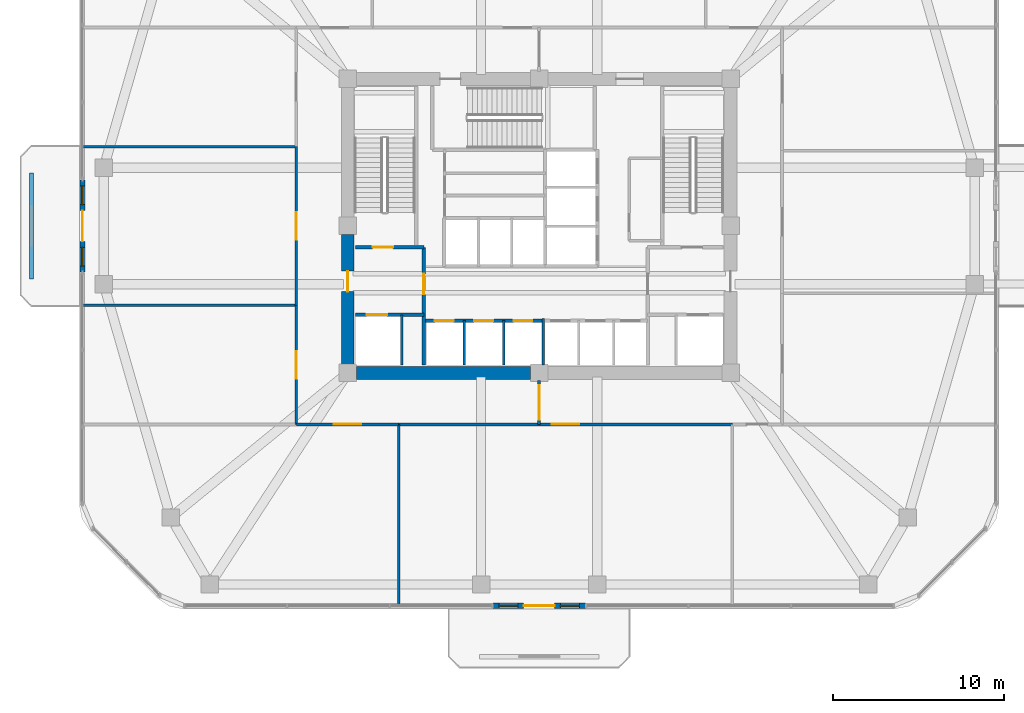
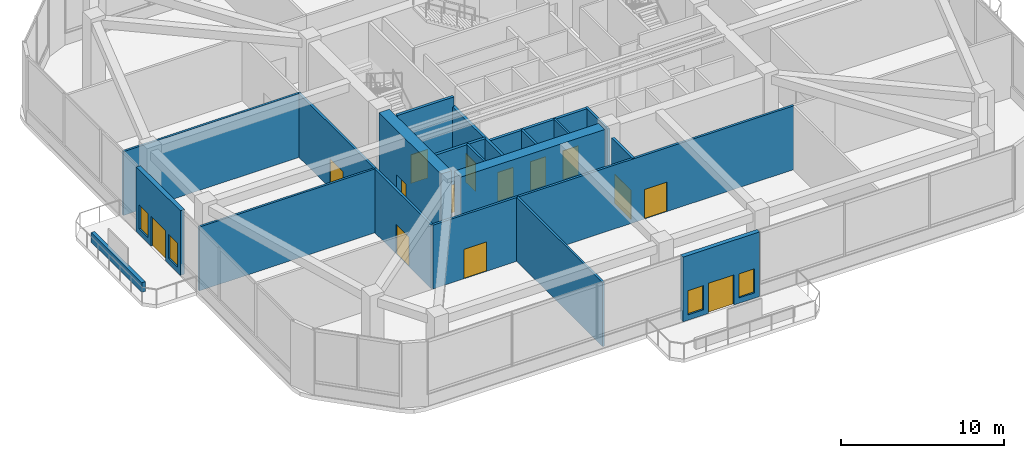
# One storey, part 7 of 13: 21 walls, 14 doors, 4 windows, 18 openings.
"""IFC4 building model written with IfcOpenShell, lengths in metres."""

from ifc_helpers import new_model, si_unit, derived_unit, direction, frame, frame_2d, origin, place, context, subcontext, project, spatial, rectangle, extrude, material, layer, layer_set, type_object, element, fill, save


model = new_model("IFC4")

# Units and contexts
model_context = context("Model", 3, precision=1e-05, world=origin(), true_north=direction((0.0, 1.0)))
body_context = subcontext(model_context, "Body", "Model", "MODEL_VIEW")
ifc_project = project(units=[si_unit("LENGTHUNIT", "METRE"), si_unit("AREAUNIT", "SQUARE_METRE"), si_unit("VOLUMEUNIT", "CUBIC_METRE"), si_unit("PLANEANGLEUNIT", "RADIAN"), si_unit("MASSUNIT", "GRAM", prefix="KILO"), derived_unit("THERMALTRANSMITTANCEUNIT", [(si_unit("POWERUNIT", "WATT"), 1), (si_unit("LENGTHUNIT", "METRE"), -2), (si_unit("THERMODYNAMICTEMPERATUREUNIT", "KELVIN"), -1)])], contexts=[model_context])

# Site, building, storey
site_placement = place(None, origin())
site = spatial("IfcSite", under=ifc_project, at=site_placement, CompositionType="ELEMENT")
building_placement = place(site_placement, origin())
building = spatial("IfcBuilding", under=site, at=building_placement, Name="Koralith Skygarden Medical Center", CompositionType="ELEMENT")
storey_placement = place(building_placement, frame((0.0, 0.0, 75.419921875)))
storey = spatial("IfcBuildingStorey", under=building, at=storey_placement, Name="L19", CompositionType="ELEMENT", Elevation=75.419921875)

# Walls
ifc_material_1 = material(Name="Gypsum Board Partition")
ifc_layer_1 = layer(ifc_material_1, 0.14990234375)
ifc_layer_set_1 = layer_set([ifc_layer_1], Name="Gypsum Board Partition")
wall_type_1 = type_object("IfcWallType", Name="Clinical Acoustic Partition 150", PredefinedType="PARTITIONING", material=ifc_layer_set_1)
wall_1_placement = place(storey_placement, frame((28.781982421875, 14.2900390625, 0.0), z_axis=(0.0, 0.0, 1.0), x_axis=(0.0, -1.0, 0.0)))
element("IfcWall", 1, at=wall_1_placement, inside=storey, type_object=wall_type_1, Name="L19 Clinical Acoustic Partition 150 W-AMPART-L19-S-1", PredefinedType="PARTITIONING", context=body_context, shape_type="SweptSolid", body=[
    extrude(rectangle(XDim=10.590087890625, YDim=0.14990234375, at=frame_2d((5.294921875, 0.0))), origin(), (0.0, 0.0, 1.0), 4.77001953125),
])
for number, where, z_axis, x_axis, name in (
    (2, (22.7900390625, 21.256103515625, 0.0), (0.0, 0.0, 1.0), (-1.0, 0.0, 0.0), "L19 Clinical Acoustic Partition 150 W-AMPART-L19-W-1"),
    (3, (22.7900390625, 30.5439453125, 0.0), (0.0, 0.0, 1.0), (-1.0, 0.0, 0.0), "L19 Clinical Acoustic Partition 150 W-AMPART-L19-W-2"),
):
    element("IfcWall", number, at=place(storey_placement, frame(where, z_axis=z_axis, x_axis=x_axis)), inside=storey, type_object=wall_type_1, Name=name, PredefinedType="PARTITIONING", context=body_context, shape_type="SweptSolid", body=[
        extrude(rectangle(XDim=12.489990234375, YDim=0.14990234375, at=frame_2d((6.2451171875, 0.0))), origin(), (0.0, 0.0, 1.0), 4.77001953125),
    ])

# Wall, opening, door
ifc_layer_2 = layer(ifc_material_1, 0.1650390625)
ifc_layer_set_2 = layer_set([ifc_layer_2], Name="Gypsum Board Partition")
wall_type_2 = type_object("IfcWallType", Name="Clinical Corridor Partition 165", PredefinedType="PARTITIONING", material=ifc_layer_set_2)
wall_2_placement = place(storey_placement, frame((22.7900390625, 14.2900390625, 0.0), z_axis=(0.0, 0.0, 1.0), x_axis=(1.0, 0.0, 0.0)))
wall_2 = element("IfcWall", 4, at=wall_2_placement, inside=storey, type_object=wall_type_2, Name="L19 Clinical Corridor Partition 165 W-AMCOR-L19-S-1", PredefinedType="PARTITIONING", context=body_context, shape_type="SweptSolid", body=[
    extrude(rectangle(XDim=5.991943359375, YDim=0.1650390625, at=frame_2d((2.99609375, 0.0))), origin(), (0.0, 0.0, 1.0), 4.77001953125),
])
opening_1_placement = place(wall_2_placement, frame((2.196044921875, 0.0, 0.0)))
opening_1 = element("IfcOpeningElement", 5, at=opening_1_placement, cuts=wall_2, Name="Opening D-DBL", PredefinedType="OPENING", context=body_context, shape_type="SweptSolid", body=[
    extrude(rectangle(XDim=1.60009765625, YDim=2.199951171875, at=frame_2d((0.800048828125, 1.10009765625))), frame((0.0, 0.092529296875, 0.0), z_axis=(0.0, -1.0, 0.0), x_axis=(1.0, 0.0, 0.0)), (0.0, 0.0, 1.0), 0.18505859375),
])
ifc_material_2 = material(Name="Aluminium 6063-T6", Category="aluminium")
door_type_1 = type_object("IfcDoorType", Name="Double Clinical Suite Door D-DBL 1600", OperationType="NOTDEFINED", PredefinedType="DOOR", material=ifc_material_2)
door_1_placement = place(opening_1_placement, frame((1.60009765625, 0.0, 0.0), z_axis=(0.0, 0.0, 1.0), x_axis=(-1.0, 0.0, 0.0)))
door_1 = element("IfcDoor", 6, at=door_1_placement, inside=storey, type_object=door_type_1, Name="L19 Outpatient Telemedicine Consultation Office Door", OperationType="DOUBLE_DOOR_SINGLE_SWING", OverallHeight=2.199951171875, OverallWidth=1.60009765625, PredefinedType="DOOR", context=body_context, shape_type="SweptSolid", body=[
    extrude(rectangle(XDim=1.60009765625, YDim=2.199951171875, at=frame_2d((0.800048828125, 1.10009765625))), frame((0.0, 0.02490234375, 0.0), z_axis=(0.0, -1.0, 0.0), x_axis=(1.0, 0.0, 0.0)), (0.0, 0.0, 1.0), 0.050048828125),
])
fill(opening_1, door_1)

wall_3_placement = place(storey_placement, frame((28.781982421875, 14.2900390625, 0.0), z_axis=(0.0, 0.0, 1.0), x_axis=(1.0, 0.0, 0.0)))
wall_3 = element("IfcWall", 7, at=wall_3_placement, inside=storey, type_object=wall_type_2, Name="L19 Clinical Corridor Partition 165 W-AMCOR-L19-S-2", PredefinedType="PARTITIONING", context=body_context, shape_type="SweptSolid", body=[
    extrude(rectangle(XDim=19.51708984375, YDim=0.1650390625, at=frame_2d((9.758544921875, 0.0))), origin(), (0.0, 0.0, 1.0), 4.77001953125),
])
opening_2_placement = place(wall_3_placement, frame((8.9580078125, 0.0, 0.0)))
opening_2 = element("IfcOpeningElement", 8, at=opening_2_placement, cuts=wall_3, Name="Opening D-DBL", PredefinedType="OPENING", context=body_context, shape_type="SweptSolid", body=[
    extrude(rectangle(XDim=1.60009765625, YDim=2.199951171875, at=frame_2d((0.800048828125, 1.10009765625))), frame((0.0, 0.092529296875, 0.0), z_axis=(0.0, -1.0, 0.0), x_axis=(1.0, 0.0, 0.0)), (0.0, 0.0, 1.0), 0.18505859375),
])
door_2_placement = place(opening_2_placement, frame((1.60009765625, 0.0, 0.0), z_axis=(0.0, 0.0, 1.0), x_axis=(-1.0, 0.0, 0.0)))
door_2 = element("IfcDoor", 9, at=door_2_placement, inside=storey, type_object=door_type_1, Name="L19 Family Resource Sky-Garden Lounge Door", OperationType="DOUBLE_DOOR_SINGLE_SWING", OverallHeight=2.199951171875, OverallWidth=1.60009765625, PredefinedType="DOOR", context=body_context, shape_type="SweptSolid", body=[
    extrude(rectangle(XDim=1.60009765625, YDim=2.199951171875, at=frame_2d((0.800048828125, 1.10009765625))), frame((0.0, 0.02490234375, 0.0), z_axis=(0.0, -1.0, 0.0), x_axis=(1.0, 0.0, 0.0)), (0.0, 0.0, 1.0), 0.050048828125),
])
fill(opening_2, door_2)

wall_4_placement = place(storey_placement, frame((22.7900390625, 14.2900390625, 0.0), z_axis=(0.0, 0.0, 1.0), x_axis=(0.0, 1.0, 0.0)))
wall_4 = element("IfcWall", 10, at=wall_4_placement, inside=storey, type_object=wall_type_2, Name="L19 Clinical Corridor Partition 165 W-AMCOR-L19-W-1", PredefinedType="PARTITIONING", context=body_context, shape_type="SweptSolid", body=[
    extrude(rectangle(XDim=6.966064453125, YDim=0.1650390625, at=frame_2d((3.48291015625, 0.0))), origin(), (0.0, 0.0, 1.0), 4.77001953125),
])
opening_3_placement = place(wall_4_placement, frame((2.68310546875, 0.0, 0.0)))
opening_3 = element("IfcOpeningElement", 11, at=opening_3_placement, cuts=wall_4, Name="Opening D-DBL", PredefinedType="OPENING", context=body_context, shape_type="SweptSolid", body=[
    extrude(rectangle(XDim=1.60009765625, YDim=2.199951171875, at=frame_2d((0.800048828125, 1.10009765625))), frame((0.0, 0.092529296875, 0.0), z_axis=(0.0, -1.0, 0.0), x_axis=(1.0, 0.0, 0.0)), (0.0, 0.0, 1.0), 0.18505859375),
])
door_3_placement = place(opening_3_placement, frame((1.60009765625, 0.0, 0.0), z_axis=(0.0, 0.0, 1.0), x_axis=(-1.0, 0.0, 0.0)))
door_3 = element("IfcDoor", 12, at=door_3_placement, inside=storey, type_object=door_type_1, Name="L19 Clinical Staff Seminar Room Door", OperationType="DOUBLE_DOOR_SINGLE_SWING", OverallHeight=2.199951171875, OverallWidth=1.60009765625, PredefinedType="DOOR", context=body_context, shape_type="SweptSolid", body=[
    extrude(rectangle(XDim=1.60009765625, YDim=2.199951171875, at=frame_2d((0.800048828125, 1.10009765625))), frame((0.0, 0.02490234375, 0.0), z_axis=(0.0, -1.0, 0.0), x_axis=(1.0, 0.0, 0.0)), (0.0, 0.0, 1.0), 0.050048828125),
])
fill(opening_3, door_3)

wall_5_placement = place(storey_placement, frame((22.7900390625, 21.256103515625, 0.0), z_axis=(0.0, 0.0, 1.0), x_axis=(0.0, 1.0, 0.0)))
wall_5 = element("IfcWall", 13, at=wall_5_placement, inside=storey, type_object=wall_type_2, Name="L19 Clinical Corridor Partition 165 W-AMCOR-L19-W-2", PredefinedType="PARTITIONING", context=body_context, shape_type="SweptSolid", body=[
    extrude(rectangle(XDim=9.287841796875, YDim=0.1650390625, at=frame_2d((4.64404296875, 0.0))), origin(), (0.0, 0.0, 1.0), 4.77001953125),
])
opening_4_placement = place(wall_5_placement, frame((3.843994140625, 0.0, 0.0)))
opening_4 = element("IfcOpeningElement", 14, at=opening_4_placement, cuts=wall_5, Name="Opening D-DBL", PredefinedType="OPENING", context=body_context, shape_type="SweptSolid", body=[
    extrude(rectangle(XDim=1.60009765625, YDim=2.199951171875, at=frame_2d((0.800048828125, 1.10009765625))), frame((0.0, 0.092529296875, 0.0), z_axis=(0.0, -1.0, 0.0), x_axis=(1.0, 0.0, 0.0)), (0.0, 0.0, 1.0), 0.18505859375),
])
door_4_placement = place(opening_4_placement, frame((1.60009765625, 0.0, 0.0), z_axis=(0.0, 0.0, 1.0), x_axis=(-1.0, 0.0, 0.0)))
door_4 = element("IfcDoor", 15, at=door_4_placement, inside=storey, type_object=door_type_1, Name="L19 West Sky-Garden Verandah Lounge Door", OperationType="DOUBLE_DOOR_SINGLE_SWING", OverallHeight=2.199951171875, OverallWidth=1.60009765625, PredefinedType="DOOR", context=body_context, shape_type="SweptSolid", body=[
    extrude(rectangle(XDim=1.60009765625, YDim=2.199951171875, at=frame_2d((0.800048828125, 1.10009765625))), frame((0.0, 0.02490234375, 0.0), z_axis=(0.0, -1.0, 0.0), x_axis=(1.0, 0.0, 0.0)), (0.0, 0.0, 1.0), 0.050048828125),
])
fill(opening_4, door_4)

ifc_layer_3 = layer(ifc_material_1, 0.199951171875)
ifc_layer_set_3 = layer_set([ifc_layer_3], Name="Gypsum Board Partition")
wall_type_3 = type_object("IfcWallType", Name="Fire Shaft Wall 200", PredefinedType="SOLIDWALL", material=ifc_layer_set_3)
wall_6_placement = place(storey_placement, frame((26.25, 20.699951171875, 0.0), z_axis=(0.0, 0.0, 1.0), x_axis=(1.0, 0.0, 0.0)))
wall_6 = element("IfcWall", 16, at=wall_6_placement, inside=storey, type_object=wall_type_3, Name="L19 Fire Shaft Wall 200 W-CORE-L19-FF1-N", PredefinedType="SOLIDWALL", context=body_context, shape_type="SweptSolid", body=[
    extrude(rectangle(XDim=4.0, YDim=0.199951171875, at=frame_2d((2.0, 0.0))), origin(), (0.0, 0.0, 1.0), 4.77001953125),
])
opening_5_placement = place(wall_6_placement, frame((0.64990234375, 0.0, 0.0)))
opening_5 = element("IfcOpeningElement", 17, at=opening_5_placement, cuts=wall_6, Name="Opening LD-FF", PredefinedType="OPENING", context=body_context, shape_type="SweptSolid", body=[
    extrude(rectangle(XDim=1.199951171875, YDim=2.14990234375, at=frame_2d((0.60009765625, 1.074951171875))), frame((0.0, 0.10986328125, 0.0), z_axis=(0.0, -1.0, 0.0), x_axis=(1.0, 0.0, 0.0)), (0.0, 0.0, 1.0), 0.219970703125),
])
ifc_material_3 = material(Name="Steel ASTM A500 Grade C", Category="steel")
door_type_2 = type_object("IfcDoorType", Name="Fire Lift Sliding Landing Door LD-FF 1200", OperationType="NOTDEFINED", PredefinedType="DOOR", material=ifc_material_3)
door_5_placement = place(opening_5_placement, origin())
door_5 = element("IfcDoor", 18, at=door_5_placement, inside=storey, type_object=door_type_2, Name="L19 Fire Service Elevator FF1 Landing Door", OperationType="SLIDING_TO_LEFT", OverallHeight=2.14990234375, OverallWidth=1.199951171875, PredefinedType="DOOR", context=body_context, shape_type="SweptSolid", body=[
    extrude(rectangle(XDim=1.199951171875, YDim=2.14990234375, at=frame_2d((0.60009765625, 1.074951171875))), frame((0.0, 0.02490234375, 0.0), z_axis=(0.0, -1.0, 0.0), x_axis=(1.0, 0.0, 0.0)), (0.0, 0.0, 1.0), 0.050048828125),
])
fill(opening_5, door_5)

wall_7_placement = place(storey_placement, frame((30.25, 17.75, 0.0), z_axis=(0.0, 0.0, 1.0), x_axis=(0.0, 1.0, 0.0)))
wall_7 = element("IfcWall", 19, at=wall_7_placement, inside=storey, type_object=wall_type_3, Name="L19 Fire Shaft Wall 200 W-CORE-L19-FSAEW-E", PredefinedType="SOLIDWALL", context=body_context, shape_type="SweptSolid", body=[
    extrude(rectangle(XDim=6.89990234375, YDim=0.199951171875, at=frame_2d((3.449951171875, 0.0))), origin(), (0.0, 0.0, 1.0), 4.77001953125),
])
opening_6_placement = place(wall_7_placement, frame((4.14990234375, 0.0, 0.0)))
opening_6 = element("IfcOpeningElement", 20, at=opening_6_placement, cuts=wall_7, Name="Opening D-ST60", PredefinedType="OPENING", context=body_context, shape_type="SweptSolid", body=[
    extrude(rectangle(XDim=1.199951171875, YDim=2.14990234375, at=frame_2d((0.60009765625, 1.074951171875))), frame((0.0, 0.10986328125, 0.0), z_axis=(0.0, -1.0, 0.0), x_axis=(1.0, 0.0, 0.0)), (0.0, 0.0, 1.0), 0.219970703125),
])
door_type_3 = type_object("IfcDoorType", Name="Smokeproof Stair Fire Door FD60S 1200", OperationType="NOTDEFINED", PredefinedType="DOOR", material=ifc_material_3)
door_6_placement = place(opening_6_placement, origin())
door_6 = element("IfcDoor", 21, at=door_6_placement, inside=storey, type_object=door_type_3, Name="L19 West Firefighting Lobby Inner Fire Door", OperationType="SINGLE_SWING_LEFT", OverallHeight=2.14990234375, OverallWidth=1.199951171875, PredefinedType="DOOR", context=body_context, shape_type="SweptSolid", body=[
    extrude(rectangle(XDim=1.199951171875, YDim=2.14990234375, at=frame_2d((0.60009765625, 1.074951171875))), frame((0.0, 0.02490234375, 0.0), z_axis=(0.0, -1.0, 0.0), x_axis=(1.0, 0.0, 0.0)), (0.0, 0.0, 1.0), 0.050048828125),
])
fill(opening_6, door_6)

# Wall, openings, doors
wall_8_placement = place(storey_placement, frame((30.25, 20.360107421875, 0.0), z_axis=(0.0, 0.0, 1.0), x_axis=(1.0, 0.0, 0.0)))
wall_8 = element("IfcWall", 22, at=wall_8_placement, inside=storey, type_object=wall_type_3, Name="L19 Fire Shaft Wall 200 W-CORE-L19-PL-N", PredefinedType="SOLIDWALL", context=body_context, shape_type="SweptSolid", body=[
    extrude(rectangle(XDim=7.0, YDim=0.199951171875, at=frame_2d((3.5, 0.0))), origin(), (0.0, 0.0, 1.0), 4.77001953125),
])
opening_7_placement = place(wall_8_placement, frame((0.64990234375, 0.0, 0.0)))
opening_7 = element("IfcOpeningElement", 23, at=opening_7_placement, cuts=wall_8, Name="Opening LD-P", PredefinedType="OPENING", context=body_context, shape_type="SweptSolid", body=[
    extrude(rectangle(XDim=1.10009765625, YDim=2.14990234375, at=frame_2d((0.550048828125, 1.074951171875))), frame((0.0, 0.10986328125, 0.0), z_axis=(0.0, -1.0, 0.0), x_axis=(1.0, 0.0, 0.0)), (0.0, 0.0, 1.0), 0.219970703125),
])
opening_8_placement = place(wall_8_placement, frame((2.949951171875, 0.0, 0.0)))
opening_8 = element("IfcOpeningElement", 24, at=opening_8_placement, cuts=wall_8, Name="Opening LD-P", PredefinedType="OPENING", context=body_context, shape_type="SweptSolid", body=[
    extrude(rectangle(XDim=1.10009765625, YDim=2.14990234375, at=frame_2d((0.550048828125, 1.074951171875))), frame((0.0, 0.10986328125, 0.0), z_axis=(0.0, -1.0, 0.0), x_axis=(1.0, 0.0, 0.0)), (0.0, 0.0, 1.0), 0.219970703125),
])
opening_9_placement = place(wall_8_placement, frame((5.25, 0.0, 0.0)))
opening_9 = element("IfcOpeningElement", 25, at=opening_9_placement, cuts=wall_8, Name="Opening LD-P", PredefinedType="OPENING", context=body_context, shape_type="SweptSolid", body=[
    extrude(rectangle(XDim=1.10009765625, YDim=2.14990234375, at=frame_2d((0.550048828125, 1.074951171875))), frame((0.0, 0.10986328125, 0.0), z_axis=(0.0, -1.0, 0.0), x_axis=(1.0, 0.0, 0.0)), (0.0, 0.0, 1.0), 0.219970703125),
])
door_type_4 = type_object("IfcDoorType", Name="Passenger Lift Sliding Landing Door LD-P 1100", OperationType="NOTDEFINED", PredefinedType="DOOR", material=ifc_material_3)
door_7_placement = place(opening_7_placement, origin())
door_7 = element("IfcDoor", 26, at=door_7_placement, inside=storey, type_object=door_type_4, Name="L19 Passenger Elevator PL1 Landing Door", OperationType="SLIDING_TO_LEFT", OverallHeight=2.14990234375, OverallWidth=1.10009765625, PredefinedType="DOOR", context=body_context, shape_type="SweptSolid", body=[
    extrude(rectangle(XDim=1.10009765625, YDim=2.14990234375, at=frame_2d((0.550048828125, 1.074951171875))), frame((0.0, 0.02490234375, 0.0), z_axis=(0.0, -1.0, 0.0), x_axis=(1.0, 0.0, 0.0)), (0.0, 0.0, 1.0), 0.050048828125),
])
fill(opening_7, door_7)
door_8_placement = place(opening_8_placement, origin())
door_8 = element("IfcDoor", 27, at=door_8_placement, inside=storey, type_object=door_type_4, Name="L19 Passenger Elevator PL2 Landing Door", OperationType="SLIDING_TO_LEFT", OverallHeight=2.14990234375, OverallWidth=1.10009765625, PredefinedType="DOOR", context=body_context, shape_type="SweptSolid", body=[
    extrude(rectangle(XDim=1.10009765625, YDim=2.14990234375, at=frame_2d((0.550048828125, 1.074951171875))), frame((0.0, 0.02490234375, 0.0), z_axis=(0.0, -1.0, 0.0), x_axis=(1.0, 0.0, 0.0)), (0.0, 0.0, 1.0), 0.050048828125),
])
fill(opening_8, door_8)
door_9_placement = place(opening_9_placement, origin())
door_9 = element("IfcDoor", 28, at=door_9_placement, inside=storey, type_object=door_type_4, Name="L19 Passenger Elevator PL3 Landing Door", OperationType="SLIDING_TO_LEFT", OverallHeight=2.14990234375, OverallWidth=1.10009765625, PredefinedType="DOOR", context=body_context, shape_type="SweptSolid", body=[
    extrude(rectangle(XDim=1.10009765625, YDim=2.14990234375, at=frame_2d((0.550048828125, 1.074951171875))), frame((0.0, 0.02490234375, 0.0), z_axis=(0.0, -1.0, 0.0), x_axis=(1.0, 0.0, 0.0)), (0.0, 0.0, 1.0), 0.050048828125),
])
fill(opening_9, door_9)

# Wall, opening, door
ifc_layer_4 = layer(ifc_material_1, 0.179931640625)
ifc_layer_set_4 = layer_set([ifc_layer_4], Name="Gypsum Board Partition")
wall_type_4 = type_object("IfcWallType", Name="Group I-2 Smoke Barrier Wall 180", PredefinedType="PARTITIONING", material=ifc_layer_set_4)
wall_9_placement = place(storey_placement, frame((37.0, 14.2900390625, 0.0), z_axis=(0.0, 0.0, 1.0), x_axis=(0.0, 1.0, 0.0)))
wall_9 = element("IfcWall", 29, at=wall_9_placement, inside=storey, type_object=wall_type_4, Name="L19 Group I-2 Smoke Barrier Wall 180 W-SMK-L19-S", PredefinedType="PARTITIONING", context=body_context, shape_type="SweptSolid", body=[
    extrude(rectangle(XDim=2.56005859375, YDim=0.179931640625, at=frame_2d((1.280029296875, 0.0))), origin(), (0.0, 0.0, 1.0), 4.77001953125),
])
opening_10_placement = place(wall_9_placement, frame((0.280029296875, 0.0, 0.0)))
opening_10 = element("IfcOpeningElement", 30, at=opening_10_placement, cuts=wall_9, Name="Opening D-SMK", PredefinedType="OPENING", context=body_context, shape_type="SweptSolid", body=[
    extrude(rectangle(XDim=2.0, YDim=2.199951171875, at=frame_2d((1.0, 1.10009765625))), frame((0.0, 0.099853515625, 0.0), z_axis=(0.0, -1.0, 0.0), x_axis=(1.0, 0.0, 0.0)), (0.0, 0.0, 1.0), 0.199951171875),
])
door_type_5 = type_object("IfcDoorType", Name="Cross-Corridor Double Smoke Door FD60S 2000", OperationType="NOTDEFINED", PredefinedType="DOOR", material=ifc_material_3)
door_10_placement = place(opening_10_placement, frame((2.0, 0.0, 0.0), z_axis=(0.0, 0.0, 1.0), x_axis=(-1.0, 0.0, 0.0)))
door_10 = element("IfcDoor", 31, at=door_10_placement, inside=storey, type_object=door_type_5, Name="L19 S Smoke Compartment Cross-Corridor Door", OperationType="DOUBLE_DOOR_SINGLE_SWING", OverallHeight=2.199951171875, OverallWidth=2.0, PredefinedType="DOOR", context=body_context, shape_type="SweptSolid", body=[
    extrude(rectangle(XDim=2.0, YDim=2.199951171875, at=frame_2d((1.0, 1.10009765625))), frame((0.0, 0.02490234375, 0.0), z_axis=(0.0, -1.0, 0.0), x_axis=(1.0, 0.0, 0.0)), (0.0, 0.0, 1.0), 0.050048828125),
])
fill(opening_10, door_10)

# Wall
ifc_material_4 = material(Name="Concrete C70/85", Category="concrete")
ifc_layer_5 = layer(ifc_material_4, 0.75)
ifc_layer_set_5 = layer_set([ifc_layer_5], Name="Concrete C70/85")
wall_type_5 = type_object("IfcWallType", Name="Mid Core Shear Wall 750", PredefinedType="SHEAR", material=ifc_layer_set_5)
wall_10_placement = place(storey_placement, frame((26.304931640625, 17.300048828125, 0.0), z_axis=(0.0, 0.0, 1.0), x_axis=(1.0, 0.0, 0.0)))
element("IfcWall", 32, at=wall_10_placement, inside=storey, type_object=wall_type_5, Name="L19 Core Shear Wall Segment 1", PredefinedType="SHEAR", context=body_context, shape_type="SweptSolid", body=[
    extrude(rectangle(XDim=10.190185546875, YDim=0.75, at=frame_2d((5.09521484375, 0.0))), origin(), (0.0, 0.0, 1.0), 5.47998046875),
])

# Wall, opening, door
wall_11_placement = place(storey_placement, frame((25.800048828125, 25.39501953125, 0.0), z_axis=(0.0, 0.0, 1.0), x_axis=(0.0, -1.0, 0.0)))
wall_11 = element("IfcWall", 33, at=wall_11_placement, inside=storey, type_object=wall_type_5, Name="L19 Core Shear Wall Segment 8", PredefinedType="SHEAR", context=body_context, shape_type="SweptSolid", body=[
    extrude(rectangle(XDim=7.590087890625, YDim=0.75, at=frame_2d((3.794921875, 0.0))), origin(), (0.0, 0.0, 1.0), 5.47998046875),
])
opening_11_placement = place(wall_11_placement, frame((2.14501953125, 0.0, 0.0)))
opening_11 = element("IfcOpeningElement", 34, at=opening_11_placement, cuts=wall_11, Name="Opening D-ST60", PredefinedType="OPENING", context=body_context, shape_type="SweptSolid", body=[
    extrude(rectangle(XDim=1.199951171875, YDim=2.14990234375, at=frame_2d((0.60009765625, 1.074951171875))), frame((0.0, 0.385009765625, 0.0), z_axis=(0.0, -1.0, 0.0), x_axis=(1.0, 0.0, 0.0)), (0.0, 0.0, 1.0), 0.77001953125),
])
door_11_placement = place(opening_11_placement, frame((1.199951171875, 0.0, 0.0), z_axis=(0.0, 0.0, 1.0), x_axis=(-1.0, 0.0, 0.0)))
door_11 = element("IfcDoor", 35, at=door_11_placement, inside=storey, type_object=door_type_3, Name="L19 West Corridor to Firefighting Lobby Door", OperationType="SINGLE_SWING_LEFT", OverallHeight=2.14990234375, OverallWidth=1.199951171875, PredefinedType="DOOR", context=body_context, shape_type="SweptSolid", body=[
    extrude(rectangle(XDim=1.199951171875, YDim=2.14990234375, at=frame_2d((0.60009765625, 1.074951171875))), frame((0.0, 0.02490234375, 0.0), z_axis=(0.0, -1.0, 0.0), x_axis=(1.0, 0.0, 0.0)), (0.0, 0.0, 1.0), 0.050048828125),
])
fill(opening_11, door_11)

# Wall, openings, door, windows
ifc_material_5 = material(Name="Warm Oolitic Limestone Cladding", Category="masonry")
ifc_layer_6 = layer(ifc_material_5, 0.300048828125)
ifc_layer_set_6 = layer_set([ifc_layer_6], Name="Warm Oolitic Limestone Cladding")
wall_type_6 = type_object("IfcWallType", Name="Oolitic Limestone Insulated Facade Wall 300", PredefinedType="SOLIDWALL", material=ifc_layer_set_6)
wall_12_placement = place(storey_placement, frame((34.299072265625, 3.679931640625, 0.0), z_axis=(0.0, 0.0, 1.0), x_axis=(1.0, 0.0, 0.0)))
wall_12 = element("IfcWall", 36, at=wall_12_placement, inside=storey, type_object=wall_type_6, Name="L19 Terrace Portal Wall S", PredefinedType="SOLIDWALL", context=body_context, shape_type="SweptSolid", body=[
    extrude(rectangle(XDim=5.39990234375, YDim=0.300048828125, at=frame_2d((2.699951171875, 0.0))), origin(), (0.0, 0.0, 1.0), 4.830078125),
])
opening_12_placement = place(wall_12_placement, frame((1.800048828125, 0.0, 0.0)))
opening_12 = element("IfcOpeningElement", 37, at=opening_12_placement, cuts=wall_12, Name="Opening D-SG", PredefinedType="OPENING", context=body_context, shape_type="SweptSolid", body=[
    extrude(rectangle(XDim=1.800048828125, YDim=2.25, at=frame_2d((0.89990234375, 1.125))), frame((0.0, 0.159912109375, 0.0), z_axis=(0.0, -1.0, 0.0), x_axis=(1.0, 0.0, 0.0)), (0.0, 0.0, 1.0), 0.320068359375),
])
opening_13_placement = place(wall_12_placement, frame((0.35009765625, 0.0, 0.39990234375)))
opening_13 = element("IfcOpeningElement", 38, at=opening_13_placement, cuts=wall_12, Name="Opening W-04", PredefinedType="OPENING", context=body_context, shape_type="SweptSolid", body=[
    extrude(rectangle(XDim=1.10009765625, YDim=1.800048828125, at=frame_2d((0.550048828125, 0.89990234375))), frame((0.0, 0.159912109375, 0.0), z_axis=(0.0, -1.0, 0.0), x_axis=(1.0, 0.0, 0.0)), (0.0, 0.0, 1.0), 0.320068359375),
])
opening_14_placement = place(wall_12_placement, frame((3.949951171875, 0.0, 0.39990234375)))
opening_14 = element("IfcOpeningElement", 39, at=opening_14_placement, cuts=wall_12, Name="Opening W-04", PredefinedType="OPENING", context=body_context, shape_type="SweptSolid", body=[
    extrude(rectangle(XDim=1.10009765625, YDim=1.800048828125, at=frame_2d((0.550048828125, 0.89990234375))), frame((0.0, 0.159912109375, 0.0), z_axis=(0.0, -1.0, 0.0), x_axis=(1.0, 0.0, 0.0)), (0.0, 0.0, 1.0), 0.320068359375),
])
door_type_6 = type_object("IfcDoorType", Name="Sky-Garden Double Terrace Door D-SG 1800", OperationType="NOTDEFINED", PredefinedType="DOOR", material=ifc_material_2)
door_12_placement = place(opening_12_placement, origin())
door_12 = element("IfcDoor", 40, at=door_12_placement, inside=storey, type_object=door_type_6, Name="L19 S Outdoor Terrace Access Door", OperationType="DOUBLE_DOOR_SINGLE_SWING", OverallHeight=2.25, OverallWidth=1.800048828125, PredefinedType="DOOR", context=body_context, shape_type="SweptSolid", body=[
    extrude(rectangle(XDim=1.800048828125, YDim=2.25, at=frame_2d((0.89990234375, 1.125))), frame((0.0, 0.02490234375, 0.0), z_axis=(0.0, -1.0, 0.0), x_axis=(1.0, 0.0, 0.0)), (0.0, 0.0, 1.0), 0.050048828125),
])
fill(opening_12, door_12)
ifc_material_6 = material(Name="Clear Laminated Glass", Category="glass")
window_type = type_object("IfcWindowType", Name="Sky-Garden Portal Sidelight Window W-04 1100x1800", PartitioningType="SINGLE_PANEL", PredefinedType="WINDOW", material=ifc_material_6)
window_1_placement = place(opening_13_placement, origin())
window_1 = element("IfcWindow", 41, at=window_1_placement, inside=storey, type_object=window_type, Name="L19 S Portal Sidelight 1", OverallHeight=1.800048828125, OverallWidth=1.10009765625, PartitioningType="SINGLE_PANEL", PredefinedType="WINDOW", context=body_context, shape_type="SweptSolid", body=[
    extrude(rectangle(XDim=1.10009765625, YDim=1.800048828125, at=frame_2d((0.550048828125, 0.89990234375))), frame((0.0, 0.030029296875, 0.0), z_axis=(0.0, -1.0, 0.0), x_axis=(1.0, 0.0, 0.0)), (0.0, 0.0, 1.0), 0.06005859375),
])
fill(opening_13, window_1)
window_2_placement = place(opening_14_placement, origin())
window_2 = element("IfcWindow", 42, at=window_2_placement, inside=storey, type_object=window_type, Name="L19 S Portal Sidelight 2", OverallHeight=1.800048828125, OverallWidth=1.10009765625, PartitioningType="SINGLE_PANEL", PredefinedType="WINDOW", context=body_context, shape_type="SweptSolid", body=[
    extrude(rectangle(XDim=1.10009765625, YDim=1.800048828125, at=frame_2d((0.550048828125, 0.89990234375))), frame((0.0, 0.030029296875, 0.0), z_axis=(0.0, -1.0, 0.0), x_axis=(1.0, 0.0, 0.0)), (0.0, 0.0, 1.0), 0.06005859375),
])
fill(opening_14, window_2)

wall_13_placement = place(storey_placement, frame((10.280029296875, 28.60107421875, 0.0), z_axis=(0.0, 0.0, 1.0), x_axis=(0.0, -1.0, 0.0)))
wall_13 = element("IfcWall", 43, at=wall_13_placement, inside=storey, type_object=wall_type_6, Name="L19 Terrace Portal Wall W", PredefinedType="SOLIDWALL", context=body_context, shape_type="SweptSolid", body=[
    extrude(rectangle(XDim=5.400146484375, YDim=0.300048828125, at=frame_2d((2.7001953125, 0.0))), origin(), (0.0, 0.0, 1.0), 4.830078125),
])
opening_15_placement = place(wall_13_placement, frame((1.800048828125, 0.0, 0.0)))
opening_15 = element("IfcOpeningElement", 44, at=opening_15_placement, cuts=wall_13, Name="Opening D-SG", PredefinedType="OPENING", context=body_context, shape_type="SweptSolid", body=[
    extrude(rectangle(XDim=1.800048828125, YDim=2.25, at=frame_2d((0.89990234375, 1.125))), frame((0.0, 0.159912109375, 0.0), z_axis=(0.0, -1.0, 0.0), x_axis=(1.0, 0.0, 0.0)), (0.0, 0.0, 1.0), 0.320068359375),
])
opening_16_placement = place(wall_13_placement, frame((0.35009765625, 0.0, 0.39990234375)))
opening_16 = element("IfcOpeningElement", 45, at=opening_16_placement, cuts=wall_13, Name="Opening W-04", PredefinedType="OPENING", context=body_context, shape_type="SweptSolid", body=[
    extrude(rectangle(XDim=1.10009765625, YDim=1.800048828125, at=frame_2d((0.550048828125, 0.89990234375))), frame((0.0, 0.159912109375, 0.0), z_axis=(0.0, -1.0, 0.0), x_axis=(1.0, 0.0, 0.0)), (0.0, 0.0, 1.0), 0.320068359375),
])
opening_17_placement = place(wall_13_placement, frame((3.949951171875, 0.0, 0.39990234375)))
opening_17 = element("IfcOpeningElement", 46, at=opening_17_placement, cuts=wall_13, Name="Opening W-04", PredefinedType="OPENING", context=body_context, shape_type="SweptSolid", body=[
    extrude(rectangle(XDim=1.10009765625, YDim=1.800048828125, at=frame_2d((0.550048828125, 0.89990234375))), frame((0.0, 0.159912109375, 0.0), z_axis=(0.0, -1.0, 0.0), x_axis=(1.0, 0.0, 0.0)), (0.0, 0.0, 1.0), 0.320068359375),
])
door_13_placement = place(opening_15_placement, origin())
door_13 = element("IfcDoor", 47, at=door_13_placement, inside=storey, type_object=door_type_6, Name="L19 W Outdoor Terrace Access Door", OperationType="DOUBLE_DOOR_SINGLE_SWING", OverallHeight=2.25, OverallWidth=1.800048828125, PredefinedType="DOOR", context=body_context, shape_type="SweptSolid", body=[
    extrude(rectangle(XDim=1.800048828125, YDim=2.25, at=frame_2d((0.89990234375, 1.125))), frame((0.0, 0.02490234375, 0.0), z_axis=(0.0, -1.0, 0.0), x_axis=(1.0, 0.0, 0.0)), (0.0, 0.0, 1.0), 0.050048828125),
])
fill(opening_15, door_13)
window_3_placement = place(opening_16_placement, origin())
window_3 = element("IfcWindow", 48, at=window_3_placement, inside=storey, type_object=window_type, Name="L19 W Portal Sidelight 1", OverallHeight=1.800048828125, OverallWidth=1.10009765625, PartitioningType="SINGLE_PANEL", PredefinedType="WINDOW", context=body_context, shape_type="SweptSolid", body=[
    extrude(rectangle(XDim=1.10009765625, YDim=1.800048828125, at=frame_2d((0.550048828125, 0.89990234375))), frame((0.0, 0.030029296875, 0.0), z_axis=(0.0, -1.0, 0.0), x_axis=(1.0, 0.0, 0.0)), (0.0, 0.0, 1.0), 0.06005859375),
])
fill(opening_16, window_3)
window_4_placement = place(opening_17_placement, origin())
window_4 = element("IfcWindow", 49, at=window_4_placement, inside=storey, type_object=window_type, Name="L19 W Portal Sidelight 2", OverallHeight=1.800048828125, OverallWidth=1.10009765625, PartitioningType="SINGLE_PANEL", PredefinedType="WINDOW", context=body_context, shape_type="SweptSolid", body=[
    extrude(rectangle(XDim=1.10009765625, YDim=1.800048828125, at=frame_2d((0.550048828125, 0.89990234375))), frame((0.0, 0.030029296875, 0.0), z_axis=(0.0, -1.0, 0.0), x_axis=(1.0, 0.0, 0.0)), (0.0, 0.0, 1.0), 0.06005859375),
])
fill(opening_17, window_4)

# Walls
ifc_layer_7 = layer(ifc_material_1, 0.14990234375)
ifc_layer_set_7 = layer_set([ifc_layer_7], Name="Gypsum Board Partition")
wall_type_7 = type_object("IfcWallType", Name="Shaft Partition Wall 150", PredefinedType="PARTITIONING", material=ifc_layer_set_7)
wall_14_placement = place(storey_placement, frame((28.969970703125, 17.75, 0.0), z_axis=(0.0, 0.0, 1.0), x_axis=(0.0, 1.0, 0.0)))
element("IfcWall", 50, at=wall_14_placement, inside=storey, type_object=wall_type_7, Name="L19 Shaft Partition Wall 150 W-CORE-L19-RSRW-DIV", PredefinedType="PARTITIONING", context=body_context, shape_type="SweptSolid", body=[
    extrude(rectangle(XDim=2.949951171875, YDim=0.14990234375, at=frame_2d((1.47509765625, 0.0))), origin(), (0.0, 0.0, 1.0), 4.77001953125),
])
for number, where, z_axis, x_axis, name in (
    (51, (32.6201171875, 17.75, 0.0), (0.0, 0.0, 1.0), (0.0, 1.0, 0.0), "L19 Shaft Partition Wall 150 W-CORE-L19-PL-D1"),
    (52, (34.919921875, 17.75, 0.0), (0.0, 0.0, 1.0), (0.0, 1.0, 0.0), "L19 Shaft Partition Wall 150 W-CORE-L19-PL-D2"),
):
    element("IfcWall", number, at=place(storey_placement, frame(where, z_axis=z_axis, x_axis=x_axis)), inside=storey, type_object=wall_type_7, Name=name, PredefinedType="PARTITIONING", context=body_context, shape_type="SweptSolid", body=[
        extrude(rectangle(XDim=2.610107421875, YDim=0.14990234375, at=frame_2d((1.30517578125, 0.0))), origin(), (0.0, 0.0, 1.0), 4.77001953125),
    ])
wall_15_placement = place(storey_placement, frame((37.25, 17.75, 0.0), z_axis=(0.0, 0.0, 1.0), x_axis=(0.0, 1.0, 0.0)))
element("IfcWall", 53, at=wall_15_placement, inside=storey, type_object=wall_type_7, Name="L19 Shaft Partition Wall 150 W-CORE-L19-PL-PM-SEP", PredefinedType="PARTITIONING", context=body_context, shape_type="SweptSolid", body=[
    extrude(rectangle(XDim=2.72998046875, YDim=0.14990234375, at=frame_2d((1.364990234375, 0.0))), origin(), (0.0, 0.0, 1.0), 4.77001953125),
])
ifc_material_7 = material(Name="Precast concrete C40/50", Category="concrete")
ifc_layer_8 = layer(ifc_material_7, 0.25)
ifc_layer_set_8 = layer_set([ifc_layer_8], Name="Precast concrete C40/50")
wall_type_8 = type_object("IfcWallType", Name="Structural Concrete Balcony Planter Kerb 250", PredefinedType="PARAPET", material=ifc_layer_set_8)
wall_16_placement = place(storey_placement, frame((7.300048828125, 22.800048828125, 0.0), z_axis=(0.0, 0.0, 1.0), x_axis=(0.0, 1.0, 0.0)))
element("IfcWall", 54, at=wall_16_placement, inside=storey, type_object=wall_type_8, Name="L19 W Structural Tree PLANTER Box", PredefinedType="PARAPET", context=body_context, shape_type="SweptSolid", body=[
    extrude(rectangle(XDim=6.199951171875, YDim=0.25, at=frame_2d((3.10009765625, 0.0))), origin(), (0.0, 0.0, 1.0), 0.719970703125),
])

# Wall, opening, door
ifc_material_8 = material(Name="Concrete C45/55", Category="concrete")
ifc_layer_9 = layer(ifc_material_8, 0.199951171875)
ifc_layer_set_9 = layer_set([ifc_layer_9], Name="Concrete C45/55")
wall_type_9 = type_object("IfcWallType", Name="Structural Stair Shaft Wall 200", PredefinedType="SHEAR", material=ifc_layer_set_9)
wall_17_placement = place(storey_placement, frame((26.25, 24.64990234375, 0.0), z_axis=(0.0, 0.0, 1.0), x_axis=(1.0, 0.0, 0.0)))
wall_17 = element("IfcWall", 55, at=wall_17_placement, inside=storey, type_object=wall_type_9, Name="L19 Structural Stair Shaft Wall 200 W-CORE-L19-ST1-S", PredefinedType="SHEAR", context=body_context, shape_type="SweptSolid", body=[
    extrude(rectangle(XDim=4.0, YDim=0.199951171875, at=frame_2d((2.0, 0.0))), origin(), (0.0, 0.0, 1.0), 5.47998046875),
])
opening_18_placement = place(wall_17_placement, frame((1.0, 0.0, 0.0)))
opening_18 = element("IfcOpeningElement", 56, at=opening_18_placement, cuts=wall_17, Name="Opening D-ST60", PredefinedType="OPENING", context=body_context, shape_type="SweptSolid", body=[
    extrude(rectangle(XDim=1.199951171875, YDim=2.14990234375, at=frame_2d((0.60009765625, 1.074951171875))), frame((0.0, 0.10986328125, 0.0), z_axis=(0.0, -1.0, 0.0), x_axis=(1.0, 0.0, 0.0)), (0.0, 0.0, 1.0), 0.219970703125),
])
door_14_placement = place(opening_18_placement, origin())
door_14 = element("IfcDoor", 57, at=door_14_placement, inside=storey, type_object=door_type_3, Name="L19 Exit Stair ST1 Fire Door", OperationType="SINGLE_SWING_LEFT", OverallHeight=2.14990234375, OverallWidth=1.199951171875, PredefinedType="DOOR", context=body_context, shape_type="SweptSolid", body=[
    extrude(rectangle(XDim=1.199951171875, YDim=2.14990234375, at=frame_2d((0.60009765625, 1.074951171875))), frame((0.0, 0.02490234375, 0.0), z_axis=(0.0, -1.0, 0.0), x_axis=(1.0, 0.0, 0.0)), (0.0, 0.0, 1.0), 0.050048828125),
])
fill(opening_18, door_14)

save(model, "model.ifc")
